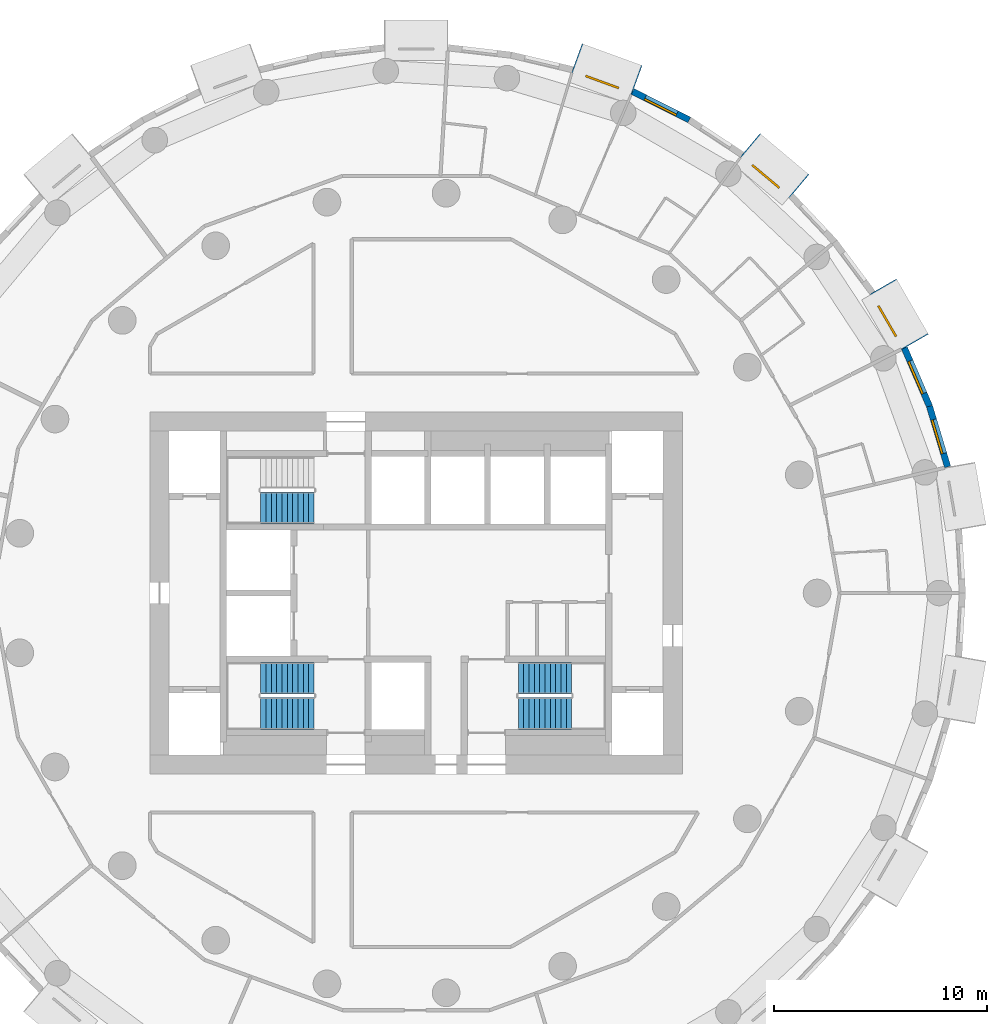
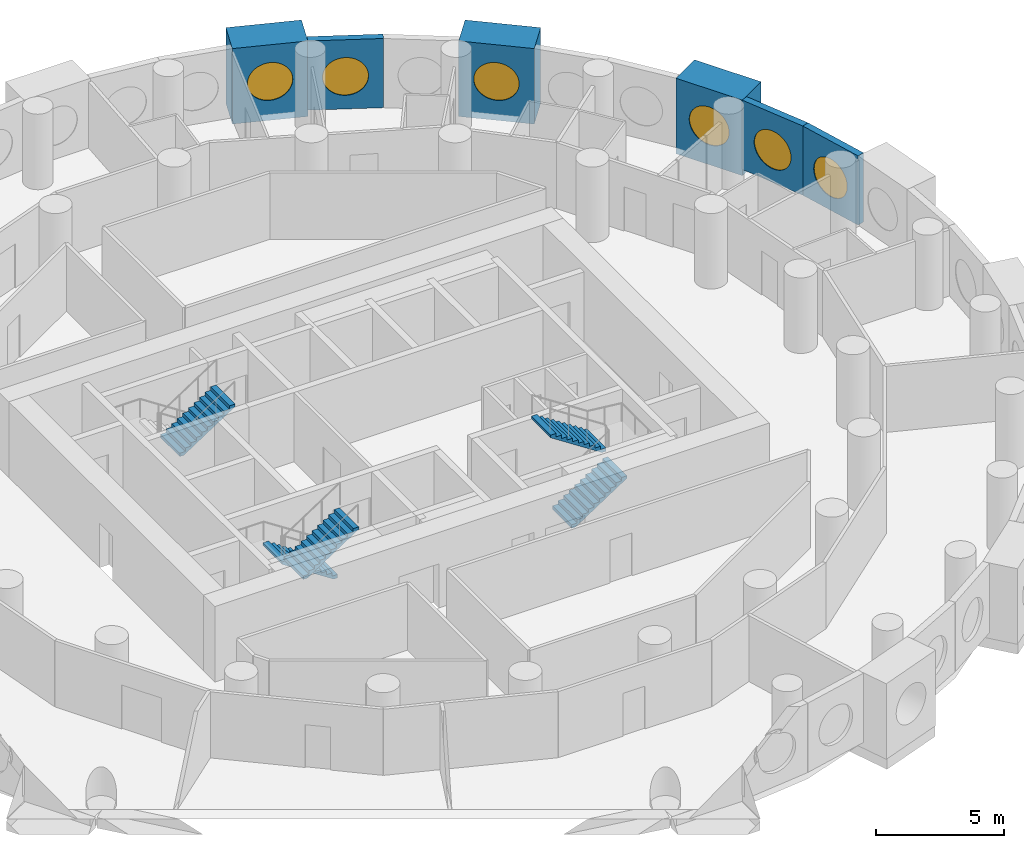
# One storey, part 8 of 10: 6 walls, 6 windows, 5 stair flights, 6 openings, 3 elements without a shape of their own.
"""IFC4 building model written with IfcOpenShell, lengths in metres."""

import ifcopenshell
import ifcopenshell.guid

model = None  # the IFC model being written
_history = None  # IfcOwnerHistory: only IFC2X3 demands one
_inside = {}  # id of a spatial element -> (the spatial element, [elements in it])
_under = {}  # id of a project, library or spatial element -> (it, [spatial elements below it])
_declared = {}  # id of a project -> (the project, [libraries it declares])
_typed = {}  # id of a type object -> (the type object, [elements of that type])
_made_of = {}  # id of a material, layer set ... -> (it, [elements and type objects made of it])


def new_model(schema):
    """Start an empty IFC model of exactly this schema.

    Asked for "IFC4X3", IfcOpenShell would pick the latest addendum, in which some entities
    have other attributes; the version numbers below select the first issue.
    IFC2X3 requires an IfcOwnerHistory on every rooted entity: one is made here for all.
    """
    global model, _history
    if schema == "IFC4X3":
        model = ifcopenshell.file(schema_version=(4, 3, 0, 0))
    else:
        model = ifcopenshell.file(schema=schema)
    _inside.clear()
    _under.clear()
    _declared.clear()
    _typed.clear()
    _made_of.clear()
    _history = None
    if model.schema == "IFC2X3":
        org = make("IfcOrganization", Name="unknown")
        user = make(
            "IfcPersonAndOrganization",
            ThePerson=make("IfcPerson", FamilyName="unknown"),
            TheOrganization=org,
        )
        app = make(
            "IfcApplication",
            ApplicationDeveloper=org,
            Version="unknown",
            ApplicationFullName="unknown",
            ApplicationIdentifier="unknown",
        )
        _history = make(
            "IfcOwnerHistory",
            OwningUser=user,
            OwningApplication=app,
            ChangeAction="ADDED",
            CreationDate=0,
        )
    return model


def make(cls, **values):
    """One entity of the class cls with the attributes given. An attribute that is None is left unset."""
    return model.create_entity(
        cls, **{name: value for name, value in values.items() if value is not None}
    )


def rooted(cls, **values):
    """An entity with a GlobalId (a new one), such as an element, a storey or a relation."""
    return make(cls, GlobalId=ifcopenshell.guid.new(), OwnerHistory=_history, **values)


def si_unit(unit_type, name, prefix=None):
    """IfcSIUnit, for example si_unit("LENGTHUNIT", "METRE", prefix="MILLI")."""
    return make("IfcSIUnit", UnitType=unit_type, Prefix=prefix, Name=name)


def assignment(units):
    """IfcUnitAssignment: the units of a project."""
    return None if units is None else make("IfcUnitAssignment", Units=units)


def point(xyz):
    """IfcCartesianPoint."""
    return None if xyz is None else make("IfcCartesianPoint", Coordinates=xyz)


def direction(xyz):
    """IfcDirection."""
    return None if xyz is None else make("IfcDirection", DirectionRatios=xyz)


def frame(location, z_axis=None, x_axis=None):
    """IfcAxis2Placement3D, a coordinate frame: its origin and axes. An axis left out is left unset."""
    return make(
        "IfcAxis2Placement3D",
        Location=point(location),
        Axis=direction(z_axis),
        RefDirection=direction(x_axis),
    )


def frame_2d(location, x_axis=None):
    """IfcAxis2Placement2D, a coordinate frame in the plane: its origin and x axis."""
    return make(
        "IfcAxis2Placement2D", Location=point(location), RefDirection=direction(x_axis)
    )


def origin():
    """The frame at (0, 0, 0) with its axes left unset."""
    return frame((0.0, 0.0, 0.0))


def origin_2d():
    """The frame at (0, 0) in the plane with its x axis left unset."""
    return frame_2d((0.0, 0.0))


def place(relative_to, where):
    """IfcLocalPlacement: puts the frame where relative to a parent placement (None: the world)."""
    return make(
        "IfcLocalPlacement", PlacementRelTo=relative_to, RelativePlacement=where
    )


def context(
    kind, dimensions, precision=None, world=None, true_north=None, identifier=None
):
    """IfcGeometricRepresentationContext, for example the 3D "Model" context."""
    return make(
        "IfcGeometricRepresentationContext",
        ContextIdentifier=identifier,
        ContextType=kind,
        CoordinateSpaceDimension=dimensions,
        Precision=precision,
        WorldCoordinateSystem=world,
        TrueNorth=true_north,
    )


def subcontext(parent, identifier, kind, view, scale=None):
    """IfcGeometricRepresentationSubContext, for example "Body" below "Model"."""
    return make(
        "IfcGeometricRepresentationSubContext",
        ContextIdentifier=identifier,
        ContextType=kind,
        ParentContext=parent,
        TargetScale=scale,
        TargetView=view,
    )


def project(units=None, contexts=None):
    """IfcProject with its units and contexts."""
    return rooted(
        "IfcProject",
        Name="project",
        RepresentationContexts=contexts,
        UnitsInContext=assignment(units),
    )


def spatial(cls, under=None, at=None, **own):
    """A site, building, storey or space (cls), placed at a placement, below another one or the project."""
    s = rooted(cls, ObjectPlacement=at, **own)
    if under is not None:
        _under.setdefault(under.id(), (under, []))[1].append(s)
    return s


def polyline(points):
    """IfcPolyline through the points."""
    return make("IfcPolyline", Points=[point(p) for p in points])


def profile(cls, at=None, kind="AREA", **sizes):
    """A parametric profile (cls). Its sizes go by their IFC names, for example OverallWidth=200.0."""
    return make(cls, ProfileType=kind, Position=at, **sizes)


def rectangle(**sizes):
    """IfcRectangleProfileDef."""
    return profile("IfcRectangleProfileDef", **sizes)


def circle(**sizes):
    """IfcCircleProfileDef."""
    return profile("IfcCircleProfileDef", **sizes)


def outline(outer, holes=None, kind="AREA"):
    """IfcArbitraryClosedProfileDef: a profile drawn as a closed curve; with holes, ...WithVoids."""
    if holes is None:
        return make("IfcArbitraryClosedProfileDef", ProfileType=kind, OuterCurve=outer)
    return make(
        "IfcArbitraryProfileDefWithVoids",
        ProfileType=kind,
        OuterCurve=outer,
        InnerCurves=holes,
    )


def extrude(swept, where, along, depth):
    """IfcExtrudedAreaSolid: the profile swept, set in the frame where, extruded along a direction by depth."""
    return make(
        "IfcExtrudedAreaSolid",
        SweptArea=swept,
        Position=where,
        ExtrudedDirection=direction(along),
        Depth=depth,
    )


def shape(context_of_items, identifier, shape_type, items):
    """IfcShapeRepresentation: the items that make up one representation, for example the "Body"."""
    return make(
        "IfcShapeRepresentation",
        ContextOfItems=context_of_items,
        RepresentationIdentifier=identifier,
        RepresentationType=shape_type,
        Items=items,
    )


def material(Name=None, Category=None):
    """IfcMaterial."""
    return make("IfcMaterial", Name=Name, Category=Category)


def layer(
    of_material, thickness, ventilated=None, Name=None, Category=None, Priority=None
):
    """IfcMaterialLayer: one layer of a wall or slab, of a material (None: an air gap)."""
    return make(
        "IfcMaterialLayer",
        Material=of_material,
        LayerThickness=thickness,
        IsVentilated=ventilated,
        Name=Name,
        Category=Category,
        Priority=Priority,
    )


def layer_set(layers, Name=None):
    """IfcMaterialLayerSet."""
    return make("IfcMaterialLayerSet", MaterialLayers=layers, LayerSetName=Name)


def made_of(thing, what):
    """Note that an element or type object is made of a material, layer set ...; save() writes the relation."""
    if what is not None:
        _made_of.setdefault(what.id(), (what, []))[1].append(thing)
    return thing


def type_object(cls, material=None, **own):
    """A type object (cls), such as IfcWallType, which elements share."""
    return made_of(rooted(cls, **own), material)


def element(
    cls,
    number,
    at=None,
    inside=None,
    cuts=None,
    type_object=None,
    material=None,
    context=None,
    identifier="Body",
    shape_type=None,
    held_by="IfcProductDefinitionShape",
    body=None,
    shapes=None,
    **own,
):
    """One element of the class cls, such as IfcWall. Its Tag is "e" and its number.

    at: its placement. inside: the storey or other place that contains it. cuts: it is an
    opening in that element (IfcRelVoidsElement). A single representation is given by context,
    identifier, shape_type and body (its items); several are given by shapes. held_by: the class
    of the entity that holds the representations. save() writes the other relations.
    """
    e = rooted(cls, Tag="e%d" % number, ObjectPlacement=at, **own)
    if body is not None:
        shapes = [shape(context, identifier, shape_type, body)]
    if shapes is not None:
        e.Representation = make(held_by, Representations=shapes)
    if inside is not None:
        _inside.setdefault(inside.id(), (inside, []))[1].append(e)
    if cuts is not None:
        rooted(
            "IfcRelVoidsElement", RelatingBuildingElement=cuts, RelatedOpeningElement=e
        )
    if type_object is not None:
        _typed.setdefault(type_object.id(), (type_object, []))[1].append(e)
    return made_of(e, material)


def fill(opening, filler):
    """IfcRelFillsElement: the door or window that sits in an opening."""
    return rooted(
        "IfcRelFillsElement",
        RelatingOpeningElement=opening,
        RelatedBuildingElement=filler,
    )


def aggregate(whole, parts):
    """IfcRelAggregates: a whole, such as a stair, and the parts it consists of."""
    return rooted("IfcRelAggregates", RelatingObject=whole, RelatedObjects=parts)


def save(model, path):
    """Write the relations noted so far, then the file.

    IfcRelAggregates (storeys below a building ...), IfcRelContainedInSpatialStructure (elements
    in a storey), IfcRelDefinesByType, IfcRelAssociatesMaterial and IfcRelDeclares: one each for
    every whole, place, type object, material and project.
    """
    for whole, parts in _under.values():
        aggregate(whole, parts)
    for where, things in _inside.values():
        rooted(
            "IfcRelContainedInSpatialStructure",
            RelatedElements=things,
            RelatingStructure=where,
        )
    for kind, things in _typed.values():
        rooted("IfcRelDefinesByType", RelatedObjects=things, RelatingType=kind)
    for what, things in _made_of.values():
        rooted("IfcRelAssociatesMaterial", RelatedObjects=things, RelatingMaterial=what)
    for by, libraries in _declared.values():
        rooted("IfcRelDeclares", RelatingContext=by, RelatedDefinitions=libraries)
    model.write(path)


model = new_model("IFC4")

# Units and contexts
model_context = context("Model", 3, precision=1e-05, world=origin(), true_north=direction((0.0, 1.0)))
body_context = subcontext(model_context, "Body", "Model", "MODEL_VIEW")
ifc_project = project(units=[si_unit("LENGTHUNIT", "METRE"), si_unit("AREAUNIT", "SQUARE_METRE"), si_unit("VOLUMEUNIT", "CUBIC_METRE"), si_unit("PLANEANGLEUNIT", "RADIAN"), si_unit("MASSUNIT", "GRAM", prefix="KILO")], contexts=[model_context])

# Site, building, storey
site_placement = place(None, origin())
site = spatial("IfcSite", under=ifc_project, at=site_placement, CompositionType="ELEMENT")
building_placement = place(site_placement, origin())
building = spatial("IfcBuilding", under=site, at=building_placement, Name="Tracery Tower", CompositionType="ELEMENT")
storey_placement = place(building_placement, frame((0.0, 0.0, 212.39990234375)))
storey = spatial("IfcBuildingStorey", under=building, at=storey_placement, Name="L55", CompositionType="ELEMENT", Elevation=212.39990234375)

# Wall, opening, window
ifc_material_1 = material(Name="Precast concrete C50/60", Category="concrete")
ifc_layer_1 = layer(ifc_material_1, 1.449951171875)
ifc_layer_set_1 = layer_set([ifc_layer_1], Name="Deep-set bay unit 3000 x 3600, slab edge 300")
wall_type_1 = type_object("IfcWallType", Name="Deep-set bay unit 3000 x 3600, slab edge 300", PredefinedType="ELEMENTEDWALL", material=ifc_layer_set_1)
wall_1_placement = place(storey_placement, frame((23.421630859375, 11.79052734375, -0.2998046875), z_axis=(0.0, 0.0, 1.0), x_axis=(-0.499990139034, 0.866031096941, 0.0)))
wall_1 = element("IfcWall", 1, at=wall_1_placement, inside=storey, type_object=wall_type_1, Name="Deep-set bay unit 5 at L55", PredefinedType="ELEMENTEDWALL", context=body_context, shape_type="SweptSolid", body=[
    extrude(rectangle(XDim=3.0, YDim=1.449951171875, at=frame_2d((1.5, 0.0))), origin(), (0.0, 0.0, 1.0), 3.599853515625),
])
opening_1_placement = place(wall_1_placement, frame((1.5, 0.0, 1.85009765625)))
opening_1 = element("IfcOpeningElement", 2, at=opening_1_placement, cuts=wall_1, Name="Opening WN1", PredefinedType="OPENING", context=body_context, shape_type="SweptSolid", body=[
    extrude(circle(Radius=0.9000244140625, at=origin_2d()), frame((0.0, 0.73486328125, 0.0), z_axis=(0.0, -1.0, 0.0), x_axis=(1.0, 0.0, 0.0)), (0.0, 0.0, 1.0), 1.469970703125),
])
ifc_material_2 = material(Name="Aluminium frame with tinted double glazing", Category="aluminium")
window_type = type_object("IfcWindowType", Name="Round window 1800", PartitioningType="SINGLE_PANEL", PredefinedType="WINDOW", material=ifc_material_2)
window_1_placement = place(opening_1_placement, origin())
window_1 = element("IfcWindow", 3, at=window_1_placement, inside=storey, type_object=window_type, Name="Round window 5 at L55", OverallHeight=1.800048828125, OverallWidth=1.800048828125, PartitioningType="SINGLE_PANEL", PredefinedType="WINDOW", context=body_context, shape_type="SweptSolid", body=[
    extrude(circle(Radius=0.9000244140625, at=origin_2d()), frame((0.0, 0.69482421875, 0.0), z_axis=(0.0, -1.0, 0.0), x_axis=(1.0, 0.0, 0.0)), (0.0, 0.0, 1.0), 0.10009765625),
])
fill(opening_1, window_1)

wall_2_placement = place(storey_placement, frame((17.9765625, 19.090087890625, -0.2998046875), z_axis=(0.0, 0.0, 1.0), x_axis=(-0.766022196139, 0.642814121673, 0.0)))
wall_2 = element("IfcWall", 4, at=wall_2_placement, inside=storey, type_object=wall_type_1, Name="Deep-set bay unit 8 at L55", PredefinedType="ELEMENTEDWALL", context=body_context, shape_type="SweptSolid", body=[
    extrude(rectangle(XDim=3.0, YDim=1.449951171875, at=frame_2d((1.5, 0.0))), origin(), (0.0, 0.0, 1.0), 3.599853515625),
])
opening_2_placement = place(wall_2_placement, frame((1.5, 0.0, 1.85009765625)))
opening_2 = element("IfcOpeningElement", 5, at=opening_2_placement, cuts=wall_2, Name="Opening WN1", PredefinedType="OPENING", context=body_context, shape_type="SweptSolid", body=[
    extrude(circle(Radius=0.9000244140625, at=origin_2d()), frame((0.0, 0.73486328125, 0.0), z_axis=(0.0, -1.0, 0.0), x_axis=(1.0, 0.0, 0.0)), (0.0, 0.0, 1.0), 1.469970703125),
])
window_2_placement = place(opening_2_placement, origin())
window_2 = element("IfcWindow", 6, at=window_2_placement, inside=storey, type_object=window_type, Name="Round window 8 at L55", OverallHeight=1.800048828125, OverallWidth=1.800048828125, PartitioningType="SINGLE_PANEL", PredefinedType="WINDOW", context=body_context, shape_type="SweptSolid", body=[
    extrude(circle(Radius=0.9000244140625, at=origin_2d()), frame((0.0, 0.69482421875, 0.0), z_axis=(0.0, -1.0, 0.0), x_axis=(1.0, 0.0, 0.0)), (0.0, 0.0, 1.0), 0.10009765625),
])
fill(opening_2, window_2)

wall_3_placement = place(storey_placement, frame((10.36328125, 24.087158203125, -0.2998046875), z_axis=(0.0, 0.0, 1.0), x_axis=(-0.939686455819, 0.342037080957, 0.0)))
wall_3 = element("IfcWall", 7, at=wall_3_placement, inside=storey, type_object=wall_type_1, Name="Deep-set bay unit 11 at L55", PredefinedType="ELEMENTEDWALL", context=body_context, shape_type="SweptSolid", body=[
    extrude(rectangle(XDim=3.0, YDim=1.449951171875, at=frame_2d((1.5, 0.0))), origin(), (0.0, 0.0, 1.0), 3.599853515625),
])
opening_3_placement = place(wall_3_placement, frame((1.5, 0.0, 1.85009765625)))
opening_3 = element("IfcOpeningElement", 8, at=opening_3_placement, cuts=wall_3, Name="Opening WN1", PredefinedType="OPENING", context=body_context, shape_type="SweptSolid", body=[
    extrude(circle(Radius=0.9000244140625, at=origin_2d()), frame((0.0, 0.73486328125, 0.0), z_axis=(0.0, -1.0, 0.0), x_axis=(1.0, 0.0, 0.0)), (0.0, 0.0, 1.0), 1.469970703125),
])
window_3_placement = place(opening_3_placement, origin())
window_3 = element("IfcWindow", 9, at=window_3_placement, inside=storey, type_object=window_type, Name="Round window 11 at L55", OverallHeight=1.800048828125, OverallWidth=1.800048828125, PartitioningType="SINGLE_PANEL", PredefinedType="WINDOW", context=body_context, shape_type="SweptSolid", body=[
    extrude(circle(Radius=0.9000244140625, at=origin_2d()), frame((0.0, 0.69482421875, 0.0), z_axis=(0.0, -1.0, 0.0), x_axis=(1.0, 0.0, 0.0)), (0.0, 0.0, 1.0), 0.10009765625),
])
fill(opening_3, window_3)

ifc_material_3 = material(Name="Precast concrete C50/60", Category="concrete")
ifc_layer_2 = layer(ifc_material_3, 0.300048828125)
ifc_layer_set_2 = layer_set([ifc_layer_2], Name="Facade panel 3000 x 3300")
wall_type_2 = type_object("IfcWallType", Name="Facade panel 3000 x 3300", PredefinedType="SOLIDWALL", material=ifc_layer_set_2)
wall_4_placement = place(storey_placement, frame((24.953369140625, 5.924072265625, 0.0), z_axis=(0.0, 0.0, 1.0), x_axis=(-0.286782750849, 0.957995643944, 0.0)))
wall_4 = element("IfcWall", 10, at=wall_4_placement, inside=storey, type_object=wall_type_2, Name="Facade panel 3 at L55", PredefinedType="SOLIDWALL", context=body_context, shape_type="SweptSolid", body=[
    extrude(rectangle(XDim=2.97265625, YDim=0.300048828125, at=frame_2d((1.486328125, 0.0))), origin(), (0.0, 0.0, 1.0), 3.300048828125),
])
opening_4_placement = place(wall_4_placement, frame((1.486328125, 0.0, 1.5498046875)))
opening_4 = element("IfcOpeningElement", 11, at=opening_4_placement, cuts=wall_4, Name="Opening WN1", PredefinedType="OPENING", context=body_context, shape_type="SweptSolid", body=[
    extrude(circle(Radius=0.9000244140625, at=origin_2d()), frame((0.0, 0.159912109375, 0.0), z_axis=(0.0, -1.0, 0.0), x_axis=(1.0, 0.0, 0.0)), (0.0, 0.0, 1.0), 0.320068359375),
])
window_4_placement = place(opening_4_placement, origin())
window_4 = element("IfcWindow", 12, at=window_4_placement, inside=storey, type_object=window_type, Name="Round window 3 at L55", OverallHeight=1.800048828125, OverallWidth=1.800048828125, PartitioningType="SINGLE_PANEL", PredefinedType="WINDOW", context=body_context, shape_type="SweptSolid", body=[
    extrude(circle(Radius=0.9000244140625, at=origin_2d()), frame((0.0, 0.1201171875, 0.0), z_axis=(0.0, -1.0, 0.0), x_axis=(1.0, 0.0, 0.0)), (0.0, 0.0, 1.0), 0.10009765625),
])
fill(opening_4, window_4)

wall_5_placement = place(storey_placement, frame((24.100830078125, 8.77197265625, 0.0), z_axis=(0.0, 0.0, 1.0), x_axis=(-0.396148129016, 0.918186614952, 0.0)))
wall_5 = element("IfcWall", 13, at=wall_5_placement, inside=storey, type_object=wall_type_2, Name="Facade panel 4 at L55", PredefinedType="SOLIDWALL", context=body_context, shape_type="SweptSolid", body=[
    extrude(rectangle(XDim=2.972900390625, YDim=0.300048828125, at=frame_2d((1.486328125, 0.0))), origin(), (0.0, 0.0, 1.0), 3.300048828125),
])
opening_5_placement = place(wall_5_placement, frame((1.486328125, 0.0, 1.5498046875)))
opening_5 = element("IfcOpeningElement", 14, at=opening_5_placement, cuts=wall_5, Name="Opening WN1", PredefinedType="OPENING", context=body_context, shape_type="SweptSolid", body=[
    extrude(circle(Radius=0.9000244140625, at=origin_2d()), frame((0.0, 0.159912109375, 0.0), z_axis=(0.0, -1.0, 0.0), x_axis=(1.0, 0.0, 0.0)), (0.0, 0.0, 1.0), 0.320068359375),
])
window_5_placement = place(opening_5_placement, origin())
window_5 = element("IfcWindow", 15, at=window_5_placement, inside=storey, type_object=window_type, Name="Round window 4 at L55", OverallHeight=1.800048828125, OverallWidth=1.800048828125, PartitioningType="SINGLE_PANEL", PredefinedType="WINDOW", context=body_context, shape_type="SweptSolid", body=[
    extrude(circle(Radius=0.9000244140625, at=origin_2d()), frame((0.0, 0.1201171875, 0.0), z_axis=(0.0, -1.0, 0.0), x_axis=(1.0, 0.0, 0.0)), (0.0, 0.0, 1.0), 0.10009765625),
])
fill(opening_5, window_5)

wall_6_placement = place(storey_placement, frame((12.82373046875, 22.21142578125, 0.0), z_axis=(0.0, 0.0, 1.0), x_axis=(-0.893637442555, 0.448789618045, 0.0)))
wall_6 = element("IfcWall", 16, at=wall_6_placement, inside=storey, type_object=wall_type_2, Name="Facade panel 10 at L55", PredefinedType="SOLIDWALL", context=body_context, shape_type="SweptSolid", body=[
    extrude(rectangle(XDim=2.972900390625, YDim=0.300048828125, at=frame_2d((1.486328125, 0.0))), origin(), (0.0, 0.0, 1.0), 3.300048828125),
])
opening_6_placement = place(wall_6_placement, frame((1.486328125, 0.0, 1.5498046875)))
opening_6 = element("IfcOpeningElement", 17, at=opening_6_placement, cuts=wall_6, Name="Opening WN1", PredefinedType="OPENING", context=body_context, shape_type="SweptSolid", body=[
    extrude(circle(Radius=0.9000244140625, at=origin_2d()), frame((0.0, 0.159912109375, 0.0), z_axis=(0.0, -1.0, 0.0), x_axis=(1.0, 0.0, 0.0)), (0.0, 0.0, 1.0), 0.320068359375),
])
window_6_placement = place(opening_6_placement, origin())
window_6 = element("IfcWindow", 18, at=window_6_placement, inside=storey, type_object=window_type, Name="Round window 10 at L55", OverallHeight=1.800048828125, OverallWidth=1.800048828125, PartitioningType="SINGLE_PANEL", PredefinedType="WINDOW", context=body_context, shape_type="SweptSolid", body=[
    extrude(circle(Radius=0.9000244140625, at=origin_2d()), frame((0.0, 0.1201171875, 0.0), z_axis=(0.0, -1.0, 0.0), x_axis=(1.0, 0.0, 0.0)), (0.0, 0.0, 1.0), 0.10009765625),
])
fill(opening_6, window_6)

# Stair, stair flights
ifc_material_4 = material(Name="Concrete C32/40", Category="concrete")
stair_type = type_object("IfcStairType", Name="Core stair 22 risers", PredefinedType="HALF_TURN_STAIR", material=ifc_material_4)
stair_1_placement = place(storey_placement, origin())
stair_1 = element("IfcStair", 19, at=stair_1_placement, inside=storey, type_object=stair_type, Name="L55 stair ST1", PredefinedType="HALF_TURN_STAIR")
ifc_material_5 = material(Name="Concrete C32/40", Category="concrete")
stair_flight_type = type_object("IfcStairFlightType", Name="Core stair flight 11 risers", PredefinedType="STRAIGHT", material=ifc_material_5)
stair_flight_1_placement = place(storey_placement, frame((-4.800048828125, -4.0, 0.0), z_axis=(0.0, 0.0, 1.0), x_axis=(-1.0, 0.0, 0.0)))
stair_flight_1 = element("IfcStairFlight", 20, at=stair_flight_1_placement, type_object=stair_flight_type, Name="ST1 flight 1", NumberOfRisers=11, NumberOfTreads=10, PredefinedType="STRAIGHT", RiserHeight=0.163636364, TreadLength=0.25, context=body_context, shape_type="SweptSolid", body=[
    extrude(outline(polyline([(0.0, 0.0), (0.0, 0.002685546875), (0.0, 0.00537109375), (0.0, 0.008056640625), (0.0, 0.0107421875), (0.0, 0.013427734375), (0.0, 0.01611328125), (0.0, 0.018798828125), (0.0, 0.021484375), (0.0, 0.024169921875), (0.0, 0.02685546875), (0.0, 0.029541015625), (0.0, 0.0322265625), (0.0, 0.034912109375), (0.0, 0.03759765625), (0.0, 0.040283203125), (0.0, 0.04296875), (0.0, 0.045654296875), (0.0, 0.04833984375), (0.0, 0.051025390625), (0.0, 0.0537109375), (0.0, 0.056396484375), (0.0, 0.05908203125), (0.0, 0.061767578125), (0.0, 0.064453125), (0.0, 0.067138671875), (0.0, 0.06982421875), (0.0, 0.072509765625), (0.0, 0.0751953125), (0.0, 0.077880859375), (0.0, 0.08056640625), (0.0, 0.083251953125), (0.0, 0.0859375), (0.0, 0.088623046875), (0.0, 0.09130859375), (0.0, 0.093994140625), (0.0, 0.0966796875), (0.0, 0.099365234375), (0.0, 0.10205078125), (0.0, 0.104736328125), (0.0, 0.107421875), (0.0, 0.10986328125), (0.0, 0.112548828125), (0.0, 0.115234375), (0.0, 0.117919921875), (0.0, 0.12060546875), (0.0, 0.123291015625), (0.0, 0.1259765625), (0.0, 0.128662109375), (0.0, 0.13134765625), (0.0, 0.134033203125), (0.0, 0.13671875), (0.0, 0.139404296875), (0.0, 0.14208984375), (0.0, 0.144775390625), (0.0, 0.1474609375), (0.0, 0.150146484375), (0.0, 0.15283203125), (0.0, 0.155517578125), (0.0, 0.158203125), (0.0, 0.160888671875), (0.0, 0.16357421875), (0.25, 0.16357421875), (0.25, 0.327392578125), (0.5, 0.327392578125), (0.5, 0.490966796875), (0.75, 0.490966796875), (0.75, 0.654541015625), (1.0, 0.654541015625), (1.0, 0.818115234375), (1.25, 0.818115234375), (1.25, 0.98193359375), (1.5, 0.98193359375), (1.5, 1.1455078125), (1.75, 1.1455078125), (1.75, 1.30908203125), (2.0, 1.30908203125), (2.0, 1.47265625), (2.25, 1.47265625), (2.25, 1.636474609375), (2.5, 1.636474609375), (2.5, 1.634521484375), (2.5, 1.63232421875), (2.5, 1.63037109375), (2.5, 1.62841796875), (2.5, 1.62646484375), (2.5, 1.62451171875), (2.5, 1.62255859375), (2.5, 1.62060546875), (2.5, 1.61865234375), (2.5, 1.61669921875), (2.5, 1.61474609375), (2.5, 1.61279296875), (2.5, 1.61083984375), (2.5, 1.60888671875), (2.5, 1.60693359375), (2.5, 1.60498046875), (2.5, 1.60302734375), (2.5, 1.60107421875), (2.5, 1.59912109375), (2.5, 1.59716796875), (2.5, 1.59521484375), (2.5, 1.59326171875), (2.5, 1.59130859375), (2.5, 1.58935546875), (2.5, 1.58740234375), (2.5, 1.58544921875), (2.5, 1.58349609375), (2.5, 1.58154296875), (2.5, 1.57958984375), (2.5, 1.57763671875), (2.5, 1.57568359375), (2.5, 1.573486328125), (2.5, 1.571533203125), (2.5, 1.569580078125), (2.5, 1.567626953125), (2.5, 1.565673828125), (2.5, 1.563720703125), (2.5, 1.561767578125), (2.5, 1.559814453125), (2.5, 1.557861328125), (2.5, 1.555908203125), (2.5, 1.553955078125), (2.5, 1.552001953125), (2.5, 1.550048828125), (2.5, 1.548095703125), (2.5, 1.546142578125), (2.5, 1.544189453125), (2.5, 1.542236328125), (2.5, 1.540283203125), (2.5, 1.538330078125), (2.5, 1.536376953125), (2.5, 1.534423828125), (2.5, 1.532470703125), (2.5, 1.530517578125), (2.5, 1.528564453125), (2.5, 1.526611328125), (2.5, 1.524658203125), (2.5, 1.522705078125), (2.5, 1.520751953125), (2.5, 1.518798828125), (2.5, 1.516845703125), (0.182861328125, 0.0), (0.0, 0.0)])), frame((0.0, 0.75, 0.0), z_axis=(0.0, -1.0, 0.0), x_axis=(1.0, 0.0, 0.0)), (0.0, 0.0, 1.0), 1.5),
])
stair_flight_2_placement = place(storey_placement, frame((-7.300048828125, -5.64990234375, 1.800048828125), z_axis=(0.0, 0.0, 1.0), x_axis=(1.0, 0.0, 0.0)))
stair_flight_2 = element("IfcStairFlight", 21, at=stair_flight_2_placement, type_object=stair_flight_type, Name="ST1 flight 2", NumberOfRisers=11, NumberOfTreads=10, PredefinedType="STRAIGHT", RiserHeight=0.163636364, TreadLength=0.25, context=body_context, shape_type="SweptSolid", body=[
    extrude(outline(polyline([(0.0, 0.0), (0.0, 0.002685546875), (0.0, 0.00537109375), (0.0, 0.008056640625), (0.0, 0.0107421875), (0.0, 0.013427734375), (0.0, 0.01611328125), (0.0, 0.018798828125), (0.0, 0.021484375), (0.0, 0.024169921875), (0.0, 0.02685546875), (0.0, 0.029541015625), (0.0, 0.0322265625), (0.0, 0.034912109375), (0.0, 0.03759765625), (0.0, 0.040283203125), (0.0, 0.04296875), (0.0, 0.045654296875), (0.0, 0.04833984375), (0.0, 0.051025390625), (0.0, 0.0537109375), (0.0, 0.056396484375), (0.0, 0.05908203125), (0.0, 0.061767578125), (0.0, 0.064453125), (0.0, 0.067138671875), (0.0, 0.06982421875), (0.0, 0.072509765625), (0.0, 0.0751953125), (0.0, 0.077880859375), (0.0, 0.08056640625), (0.0, 0.083251953125), (0.0, 0.0859375), (0.0, 0.088623046875), (0.0, 0.09130859375), (0.0, 0.093994140625), (0.0, 0.0966796875), (0.0, 0.099365234375), (0.0, 0.10205078125), (0.0, 0.104736328125), (0.0, 0.107421875), (0.0, 0.10986328125), (0.0, 0.112548828125), (0.0, 0.115234375), (0.0, 0.117919921875), (0.0, 0.12060546875), (0.0, 0.123291015625), (0.0, 0.1259765625), (0.0, 0.128662109375), (0.0, 0.13134765625), (0.0, 0.134033203125), (0.0, 0.13671875), (0.0, 0.139404296875), (0.0, 0.14208984375), (0.0, 0.144775390625), (0.0, 0.1474609375), (0.0, 0.150146484375), (0.0, 0.15283203125), (0.0, 0.155517578125), (0.0, 0.158203125), (0.0, 0.160888671875), (0.0, 0.16357421875), (0.25, 0.16357421875), (0.25, 0.327392578125), (0.5, 0.327392578125), (0.5, 0.490966796875), (0.75, 0.490966796875), (0.75, 0.654541015625), (1.0, 0.654541015625), (1.0, 0.818115234375), (1.25, 0.818115234375), (1.25, 0.98193359375), (1.5, 0.98193359375), (1.5, 1.1455078125), (1.75, 1.1455078125), (1.75, 1.30908203125), (2.0, 1.30908203125), (2.0, 1.47265625), (2.25, 1.47265625), (2.25, 1.636474609375), (2.5, 1.636474609375), (2.5, 1.634521484375), (2.5, 1.63232421875), (2.5, 1.63037109375), (2.5, 1.62841796875), (2.5, 1.62646484375), (2.5, 1.62451171875), (2.5, 1.62255859375), (2.5, 1.62060546875), (2.5, 1.61865234375), (2.5, 1.61669921875), (2.5, 1.61474609375), (2.5, 1.61279296875), (2.5, 1.61083984375), (2.5, 1.60888671875), (2.5, 1.60693359375), (2.5, 1.60498046875), (2.5, 1.60302734375), (2.5, 1.60107421875), (2.5, 1.59912109375), (2.5, 1.59716796875), (2.5, 1.59521484375), (2.5, 1.59326171875), (2.5, 1.59130859375), (2.5, 1.58935546875), (2.5, 1.58740234375), (2.5, 1.58544921875), (2.5, 1.58349609375), (2.5, 1.58154296875), (2.5, 1.57958984375), (2.5, 1.57763671875), (2.5, 1.57568359375), (2.5, 1.573486328125), (2.5, 1.571533203125), (2.5, 1.569580078125), (2.5, 1.567626953125), (2.5, 1.565673828125), (2.5, 1.563720703125), (2.5, 1.561767578125), (2.5, 1.559814453125), (2.5, 1.557861328125), (2.5, 1.555908203125), (2.5, 1.553955078125), (2.5, 1.552001953125), (2.5, 1.550048828125), (2.5, 1.548095703125), (2.5, 1.546142578125), (2.5, 1.544189453125), (2.5, 1.542236328125), (2.5, 1.540283203125), (2.5, 1.538330078125), (2.5, 1.536376953125), (2.5, 1.534423828125), (2.5, 1.532470703125), (2.5, 1.530517578125), (2.5, 1.528564453125), (2.5, 1.526611328125), (2.5, 1.524658203125), (2.5, 1.522705078125), (2.5, 1.520751953125), (2.5, 1.518798828125), (2.5, 1.516845703125), (0.182861328125, 0.0), (0.0, 0.0)])), frame((0.0, 0.75, 0.0), z_axis=(0.0, -1.0, 0.0), x_axis=(1.0, 0.0, 0.0)), (0.0, 0.0, 1.0), 1.5),
])
aggregate(stair_1, [stair_flight_1, stair_flight_2])

# Stair, stair flight
stair_2_placement = place(storey_placement, origin())
stair_2 = element("IfcStair", 22, at=stair_2_placement, inside=storey, type_object=stair_type, Name="L55 stair ST3", PredefinedType="HALF_TURN_STAIR")
stair_flight_3_placement = place(storey_placement, frame((-7.300048828125, 4.0, 1.800048828125), z_axis=(0.0, 0.0, 1.0), x_axis=(1.0, 0.0, 0.0)))
stair_flight_3 = element("IfcStairFlight", 23, at=stair_flight_3_placement, type_object=stair_flight_type, Name="ST3 flight 2", NumberOfRisers=11, NumberOfTreads=10, PredefinedType="STRAIGHT", RiserHeight=0.163636364, TreadLength=0.25, context=body_context, shape_type="SweptSolid", body=[
    extrude(outline(polyline([(0.0, 0.0), (0.0, 0.002685546875), (0.0, 0.00537109375), (0.0, 0.008056640625), (0.0, 0.0107421875), (0.0, 0.013427734375), (0.0, 0.01611328125), (0.0, 0.018798828125), (0.0, 0.021484375), (0.0, 0.024169921875), (0.0, 0.02685546875), (0.0, 0.029541015625), (0.0, 0.0322265625), (0.0, 0.034912109375), (0.0, 0.03759765625), (0.0, 0.040283203125), (0.0, 0.04296875), (0.0, 0.045654296875), (0.0, 0.04833984375), (0.0, 0.051025390625), (0.0, 0.0537109375), (0.0, 0.056396484375), (0.0, 0.05908203125), (0.0, 0.061767578125), (0.0, 0.064453125), (0.0, 0.067138671875), (0.0, 0.06982421875), (0.0, 0.072509765625), (0.0, 0.0751953125), (0.0, 0.077880859375), (0.0, 0.08056640625), (0.0, 0.083251953125), (0.0, 0.0859375), (0.0, 0.088623046875), (0.0, 0.09130859375), (0.0, 0.093994140625), (0.0, 0.0966796875), (0.0, 0.099365234375), (0.0, 0.10205078125), (0.0, 0.104736328125), (0.0, 0.107421875), (0.0, 0.10986328125), (0.0, 0.112548828125), (0.0, 0.115234375), (0.0, 0.117919921875), (0.0, 0.12060546875), (0.0, 0.123291015625), (0.0, 0.1259765625), (0.0, 0.128662109375), (0.0, 0.13134765625), (0.0, 0.134033203125), (0.0, 0.13671875), (0.0, 0.139404296875), (0.0, 0.14208984375), (0.0, 0.144775390625), (0.0, 0.1474609375), (0.0, 0.150146484375), (0.0, 0.15283203125), (0.0, 0.155517578125), (0.0, 0.158203125), (0.0, 0.160888671875), (0.0, 0.16357421875), (0.25, 0.16357421875), (0.25, 0.327392578125), (0.5, 0.327392578125), (0.5, 0.490966796875), (0.75, 0.490966796875), (0.75, 0.654541015625), (1.0, 0.654541015625), (1.0, 0.818115234375), (1.25, 0.818115234375), (1.25, 0.98193359375), (1.5, 0.98193359375), (1.5, 1.1455078125), (1.75, 1.1455078125), (1.75, 1.30908203125), (2.0, 1.30908203125), (2.0, 1.47265625), (2.25, 1.47265625), (2.25, 1.636474609375), (2.5, 1.636474609375), (2.5, 1.634521484375), (2.5, 1.63232421875), (2.5, 1.63037109375), (2.5, 1.62841796875), (2.5, 1.62646484375), (2.5, 1.62451171875), (2.5, 1.62255859375), (2.5, 1.62060546875), (2.5, 1.61865234375), (2.5, 1.61669921875), (2.5, 1.61474609375), (2.5, 1.61279296875), (2.5, 1.61083984375), (2.5, 1.60888671875), (2.5, 1.60693359375), (2.5, 1.60498046875), (2.5, 1.60302734375), (2.5, 1.60107421875), (2.5, 1.59912109375), (2.5, 1.59716796875), (2.5, 1.59521484375), (2.5, 1.59326171875), (2.5, 1.59130859375), (2.5, 1.58935546875), (2.5, 1.58740234375), (2.5, 1.58544921875), (2.5, 1.58349609375), (2.5, 1.58154296875), (2.5, 1.57958984375), (2.5, 1.57763671875), (2.5, 1.57568359375), (2.5, 1.573486328125), (2.5, 1.571533203125), (2.5, 1.569580078125), (2.5, 1.567626953125), (2.5, 1.565673828125), (2.5, 1.563720703125), (2.5, 1.561767578125), (2.5, 1.559814453125), (2.5, 1.557861328125), (2.5, 1.555908203125), (2.5, 1.553955078125), (2.5, 1.552001953125), (2.5, 1.550048828125), (2.5, 1.548095703125), (2.5, 1.546142578125), (2.5, 1.544189453125), (2.5, 1.542236328125), (2.5, 1.540283203125), (2.5, 1.538330078125), (2.5, 1.536376953125), (2.5, 1.534423828125), (2.5, 1.532470703125), (2.5, 1.530517578125), (2.5, 1.528564453125), (2.5, 1.526611328125), (2.5, 1.524658203125), (2.5, 1.522705078125), (2.5, 1.520751953125), (2.5, 1.518798828125), (2.5, 1.516845703125), (0.182861328125, 0.0), (0.0, 0.0)])), frame((0.0, 0.75, 0.0), z_axis=(0.0, -1.0, 0.0), x_axis=(1.0, 0.0, 0.0)), (0.0, 0.0, 1.0), 1.5),
])
aggregate(stair_2, [stair_flight_3])

# Stair, stair flights
stair_3_placement = place(storey_placement, origin())
stair_3 = element("IfcStair", 24, at=stair_3_placement, inside=storey, type_object=stair_type, Name="L55 stair ST2", PredefinedType="HALF_TURN_STAIR")
stair_flight_4_placement = place(storey_placement, frame((4.800048828125, -5.64990234375, 0.0), z_axis=(0.0, 0.0, 1.0), x_axis=(1.0, 0.0, 0.0)))
stair_flight_4 = element("IfcStairFlight", 25, at=stair_flight_4_placement, type_object=stair_flight_type, Name="ST2 flight 1", NumberOfRisers=11, NumberOfTreads=10, PredefinedType="STRAIGHT", RiserHeight=0.163636364, TreadLength=0.25, context=body_context, shape_type="SweptSolid", body=[
    extrude(outline(polyline([(0.0, 0.0), (0.0, 0.002685546875), (0.0, 0.00537109375), (0.0, 0.008056640625), (0.0, 0.0107421875), (0.0, 0.013427734375), (0.0, 0.01611328125), (0.0, 0.018798828125), (0.0, 0.021484375), (0.0, 0.024169921875), (0.0, 0.02685546875), (0.0, 0.029541015625), (0.0, 0.0322265625), (0.0, 0.034912109375), (0.0, 0.03759765625), (0.0, 0.040283203125), (0.0, 0.04296875), (0.0, 0.045654296875), (0.0, 0.04833984375), (0.0, 0.051025390625), (0.0, 0.0537109375), (0.0, 0.056396484375), (0.0, 0.05908203125), (0.0, 0.061767578125), (0.0, 0.064453125), (0.0, 0.067138671875), (0.0, 0.06982421875), (0.0, 0.072509765625), (0.0, 0.0751953125), (0.0, 0.077880859375), (0.0, 0.08056640625), (0.0, 0.083251953125), (0.0, 0.0859375), (0.0, 0.088623046875), (0.0, 0.09130859375), (0.0, 0.093994140625), (0.0, 0.0966796875), (0.0, 0.099365234375), (0.0, 0.10205078125), (0.0, 0.104736328125), (0.0, 0.107421875), (0.0, 0.10986328125), (0.0, 0.112548828125), (0.0, 0.115234375), (0.0, 0.117919921875), (0.0, 0.12060546875), (0.0, 0.123291015625), (0.0, 0.1259765625), (0.0, 0.128662109375), (0.0, 0.13134765625), (0.0, 0.134033203125), (0.0, 0.13671875), (0.0, 0.139404296875), (0.0, 0.14208984375), (0.0, 0.144775390625), (0.0, 0.1474609375), (0.0, 0.150146484375), (0.0, 0.15283203125), (0.0, 0.155517578125), (0.0, 0.158203125), (0.0, 0.160888671875), (0.0, 0.16357421875), (0.25, 0.16357421875), (0.25, 0.327392578125), (0.5, 0.327392578125), (0.5, 0.490966796875), (0.75, 0.490966796875), (0.75, 0.654541015625), (1.0, 0.654541015625), (1.0, 0.818115234375), (1.25, 0.818115234375), (1.25, 0.98193359375), (1.5, 0.98193359375), (1.5, 1.1455078125), (1.75, 1.1455078125), (1.75, 1.30908203125), (2.0, 1.30908203125), (2.0, 1.47265625), (2.25, 1.47265625), (2.25, 1.636474609375), (2.5, 1.636474609375), (2.5, 1.634521484375), (2.5, 1.63232421875), (2.5, 1.63037109375), (2.5, 1.62841796875), (2.5, 1.62646484375), (2.5, 1.62451171875), (2.5, 1.62255859375), (2.5, 1.62060546875), (2.5, 1.61865234375), (2.5, 1.61669921875), (2.5, 1.61474609375), (2.5, 1.61279296875), (2.5, 1.61083984375), (2.5, 1.60888671875), (2.5, 1.60693359375), (2.5, 1.60498046875), (2.5, 1.60302734375), (2.5, 1.60107421875), (2.5, 1.59912109375), (2.5, 1.59716796875), (2.5, 1.59521484375), (2.5, 1.59326171875), (2.5, 1.59130859375), (2.5, 1.58935546875), (2.5, 1.58740234375), (2.5, 1.58544921875), (2.5, 1.58349609375), (2.5, 1.58154296875), (2.5, 1.57958984375), (2.5, 1.57763671875), (2.5, 1.57568359375), (2.5, 1.573486328125), (2.5, 1.571533203125), (2.5, 1.569580078125), (2.5, 1.567626953125), (2.5, 1.565673828125), (2.5, 1.563720703125), (2.5, 1.561767578125), (2.5, 1.559814453125), (2.5, 1.557861328125), (2.5, 1.555908203125), (2.5, 1.553955078125), (2.5, 1.552001953125), (2.5, 1.550048828125), (2.5, 1.548095703125), (2.5, 1.546142578125), (2.5, 1.544189453125), (2.5, 1.542236328125), (2.5, 1.540283203125), (2.5, 1.538330078125), (2.5, 1.536376953125), (2.5, 1.534423828125), (2.5, 1.532470703125), (2.5, 1.530517578125), (2.5, 1.528564453125), (2.5, 1.526611328125), (2.5, 1.524658203125), (2.5, 1.522705078125), (2.5, 1.520751953125), (2.5, 1.518798828125), (2.5, 1.516845703125), (0.182861328125, 0.0), (0.0, 0.0)])), frame((0.0, 0.75, 0.0), z_axis=(0.0, -1.0, 0.0), x_axis=(1.0, 0.0, 0.0)), (0.0, 0.0, 1.0), 1.5),
])
stair_flight_5_placement = place(storey_placement, frame((7.300048828125, -4.0, 1.800048828125), z_axis=(0.0, 0.0, 1.0), x_axis=(-1.0, 0.0, 0.0)))
stair_flight_5 = element("IfcStairFlight", 26, at=stair_flight_5_placement, type_object=stair_flight_type, Name="ST2 flight 2", NumberOfRisers=11, NumberOfTreads=10, PredefinedType="STRAIGHT", RiserHeight=0.163636364, TreadLength=0.25, context=body_context, shape_type="SweptSolid", body=[
    extrude(outline(polyline([(0.0, 0.0), (0.0, 0.002685546875), (0.0, 0.00537109375), (0.0, 0.008056640625), (0.0, 0.0107421875), (0.0, 0.013427734375), (0.0, 0.01611328125), (0.0, 0.018798828125), (0.0, 0.021484375), (0.0, 0.024169921875), (0.0, 0.02685546875), (0.0, 0.029541015625), (0.0, 0.0322265625), (0.0, 0.034912109375), (0.0, 0.03759765625), (0.0, 0.040283203125), (0.0, 0.04296875), (0.0, 0.045654296875), (0.0, 0.04833984375), (0.0, 0.051025390625), (0.0, 0.0537109375), (0.0, 0.056396484375), (0.0, 0.05908203125), (0.0, 0.061767578125), (0.0, 0.064453125), (0.0, 0.067138671875), (0.0, 0.06982421875), (0.0, 0.072509765625), (0.0, 0.0751953125), (0.0, 0.077880859375), (0.0, 0.08056640625), (0.0, 0.083251953125), (0.0, 0.0859375), (0.0, 0.088623046875), (0.0, 0.09130859375), (0.0, 0.093994140625), (0.0, 0.0966796875), (0.0, 0.099365234375), (0.0, 0.10205078125), (0.0, 0.104736328125), (0.0, 0.107421875), (0.0, 0.10986328125), (0.0, 0.112548828125), (0.0, 0.115234375), (0.0, 0.117919921875), (0.0, 0.12060546875), (0.0, 0.123291015625), (0.0, 0.1259765625), (0.0, 0.128662109375), (0.0, 0.13134765625), (0.0, 0.134033203125), (0.0, 0.13671875), (0.0, 0.139404296875), (0.0, 0.14208984375), (0.0, 0.144775390625), (0.0, 0.1474609375), (0.0, 0.150146484375), (0.0, 0.15283203125), (0.0, 0.155517578125), (0.0, 0.158203125), (0.0, 0.160888671875), (0.0, 0.16357421875), (0.25, 0.16357421875), (0.25, 0.327392578125), (0.5, 0.327392578125), (0.5, 0.490966796875), (0.75, 0.490966796875), (0.75, 0.654541015625), (1.0, 0.654541015625), (1.0, 0.818115234375), (1.25, 0.818115234375), (1.25, 0.98193359375), (1.5, 0.98193359375), (1.5, 1.1455078125), (1.75, 1.1455078125), (1.75, 1.30908203125), (2.0, 1.30908203125), (2.0, 1.47265625), (2.25, 1.47265625), (2.25, 1.636474609375), (2.5, 1.636474609375), (2.5, 1.634521484375), (2.5, 1.63232421875), (2.5, 1.63037109375), (2.5, 1.62841796875), (2.5, 1.62646484375), (2.5, 1.62451171875), (2.5, 1.62255859375), (2.5, 1.62060546875), (2.5, 1.61865234375), (2.5, 1.61669921875), (2.5, 1.61474609375), (2.5, 1.61279296875), (2.5, 1.61083984375), (2.5, 1.60888671875), (2.5, 1.60693359375), (2.5, 1.60498046875), (2.5, 1.60302734375), (2.5, 1.60107421875), (2.5, 1.59912109375), (2.5, 1.59716796875), (2.5, 1.59521484375), (2.5, 1.59326171875), (2.5, 1.59130859375), (2.5, 1.58935546875), (2.5, 1.58740234375), (2.5, 1.58544921875), (2.5, 1.58349609375), (2.5, 1.58154296875), (2.5, 1.57958984375), (2.5, 1.57763671875), (2.5, 1.57568359375), (2.5, 1.573486328125), (2.5, 1.571533203125), (2.5, 1.569580078125), (2.5, 1.567626953125), (2.5, 1.565673828125), (2.5, 1.563720703125), (2.5, 1.561767578125), (2.5, 1.559814453125), (2.5, 1.557861328125), (2.5, 1.555908203125), (2.5, 1.553955078125), (2.5, 1.552001953125), (2.5, 1.550048828125), (2.5, 1.548095703125), (2.5, 1.546142578125), (2.5, 1.544189453125), (2.5, 1.542236328125), (2.5, 1.540283203125), (2.5, 1.538330078125), (2.5, 1.536376953125), (2.5, 1.534423828125), (2.5, 1.532470703125), (2.5, 1.530517578125), (2.5, 1.528564453125), (2.5, 1.526611328125), (2.5, 1.524658203125), (2.5, 1.522705078125), (2.5, 1.520751953125), (2.5, 1.518798828125), (2.5, 1.516845703125), (0.182861328125, 0.0), (0.0, 0.0)])), frame((0.0, 0.75, 0.0), z_axis=(0.0, -1.0, 0.0), x_axis=(1.0, 0.0, 0.0)), (0.0, 0.0, 1.0), 1.5),
])
aggregate(stair_3, [stair_flight_4, stair_flight_5])

save(model, "model.ifc")
